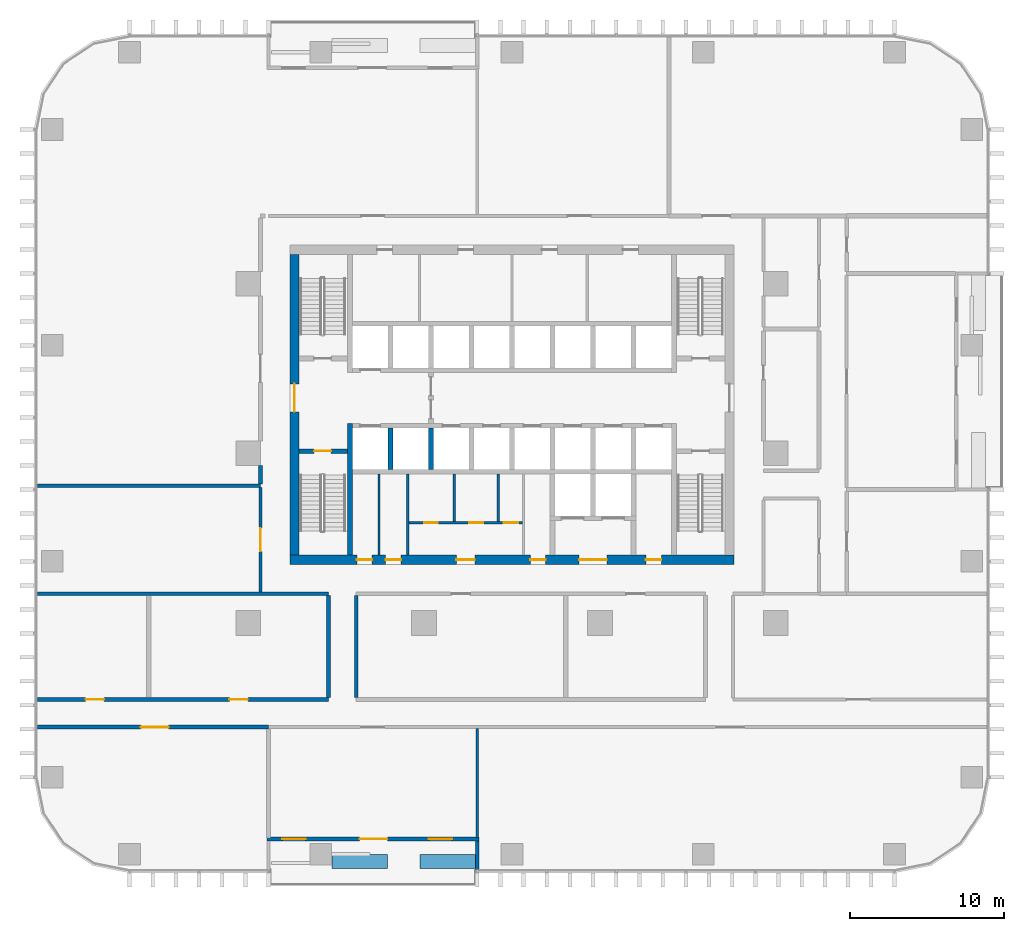
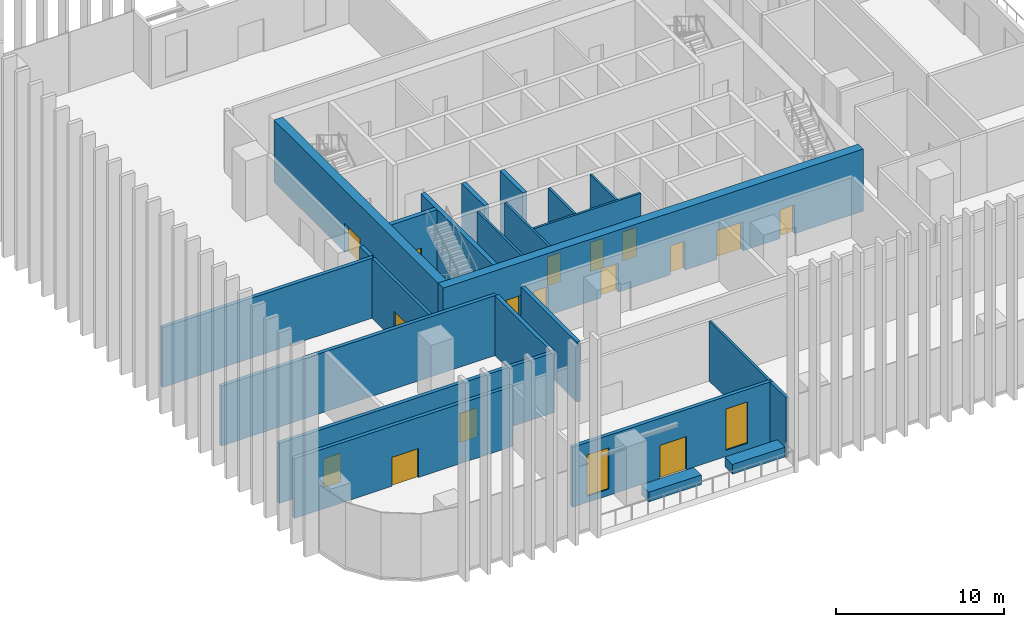
# One storey, part 7 of 16: 24 walls, 16 doors, 2 windows, 18 openings.
"""IFC4 building model written with IfcOpenShell, lengths in metres."""

from ifc_helpers import new_model, si_unit, direction, frame, frame_2d, origin, place, context, subcontext, project, spatial, rectangle, extrude, material, layer, layer_set, type_object, element, fill, save


model = new_model("IFC4")

# Units and contexts
model_context = context("Model", 3, precision=1e-05, world=origin(), true_north=direction((0.0, 1.0)))
body_context = subcontext(model_context, "Body", "Model", "MODEL_VIEW")
ifc_project = project(units=[si_unit("LENGTHUNIT", "METRE"), si_unit("AREAUNIT", "SQUARE_METRE"), si_unit("VOLUMEUNIT", "CUBIC_METRE"), si_unit("PLANEANGLEUNIT", "RADIAN"), si_unit("MASSUNIT", "GRAM", prefix="KILO")], contexts=[model_context])

# Site, building, storey
site_placement = place(None, origin())
site = spatial("IfcSite", under=ifc_project, at=site_placement, CompositionType="ELEMENT")
building_placement = place(site_placement, origin())
building = spatial("IfcBuilding", under=site, at=building_placement, Name="Mopane Tessera Tower", CompositionType="ELEMENT")
storey_placement = place(building_placement, frame((0.0, 0.0, 59.800048828125)))
storey = spatial("IfcBuildingStorey", under=building, at=storey_placement, Name="L11", CompositionType="ELEMENT", Elevation=59.800048828125)

# Walls
ifc_material_1 = material(Name="Fire-rated gypsum board partition")
ifc_layer_1 = layer(ifc_material_1, 0.14990234375)
ifc_layer_set_1 = layer_set([ifc_layer_1], Name="Fire-rated gypsum board partition")
wall_type_1 = type_object("IfcWallType", Name="Core room partition 150 mm", PredefinedType="PARTITIONING", material=ifc_layer_set_1)
for number, where, z_axis, x_axis, name in (
    (1, (-8.625, -6.60009765625, 0.0), (0.0, 0.0, 1.0), (0.0, 1.0, 0.0), "L11 Room partition"),
    (2, (-6.75, -6.60009765625, 0.0), (0.0, 0.0, 1.0), (0.0, 1.0, 0.0), "L11 Room partition"),
):
    element("IfcWall", number, at=place(storey_placement, frame(where, z_axis=z_axis, x_axis=x_axis)), inside=storey, type_object=wall_type_1, Name=name, PredefinedType="PARTITIONING", context=body_context, shape_type="SweptSolid", body=[
        extrude(rectangle(XDim=5.25, YDim=0.14990234375, at=frame_2d((2.625, 0.0))), origin(), (0.0, 0.0, 1.0), 4.5),
    ])

# Wall, openings, doors
wall_1_placement = place(storey_placement, frame((-6.675048828125, -4.5, 0.0), z_axis=(0.0, 0.0, 1.0), x_axis=(1.0, 0.0, 0.0)))
wall_1 = element("IfcWall", 3, at=wall_1_placement, inside=storey, type_object=wall_type_1, Name="L11 WC partition", PredefinedType="PARTITIONING", context=body_context, shape_type="SweptSolid", body=[
    extrude(rectangle(XDim=7.35009765625, YDim=0.14990234375, at=frame_2d((3.675048828125, 0.0))), origin(), (0.0, 0.0, 1.0), 4.5),
])
opening_1_placement = place(wall_1_placement, frame((0.97509765625, 0.0, 0.0)))
opening_1 = element("IfcOpeningElement", 4, at=opening_1_placement, cuts=wall_1, Name="Opening WD1", PredefinedType="OPENING", context=body_context, shape_type="SweptSolid", body=[
    extrude(rectangle(XDim=0.89990234375, YDim=2.10009765625, at=frame_2d((0.449951171875, 1.050048828125))), frame((0.0, 0.0869140625, 0.0), z_axis=(0.0, -1.0, 0.0), x_axis=(1.0, 0.0, 0.0)), (0.0, 0.0, 1.0), 0.173828125),
])
opening_2_placement = place(wall_1_placement, frame((3.89990234375, 0.0, 0.0)))
opening_2 = element("IfcOpeningElement", 5, at=opening_2_placement, cuts=wall_1, Name="Opening WD1", PredefinedType="OPENING", context=body_context, shape_type="SweptSolid", body=[
    extrude(rectangle(XDim=0.89990234375, YDim=2.10009765625, at=frame_2d((0.449951171875, 1.050048828125))), frame((0.0, 0.0869140625, 0.0), z_axis=(0.0, -1.0, 0.0), x_axis=(1.0, 0.0, 0.0)), (0.0, 0.0, 1.0), 0.173828125),
])
opening_3_placement = place(wall_1_placement, frame((6.125, 0.0, 0.0)))
opening_3 = element("IfcOpeningElement", 6, at=opening_3_placement, cuts=wall_1, Name="Opening WD2", PredefinedType="OPENING", context=body_context, shape_type="SweptSolid", body=[
    extrude(rectangle(XDim=0.949951171875, YDim=2.10009765625, at=frame_2d((0.47509765625, 1.050048828125))), frame((0.0, 0.0869140625, 0.0), z_axis=(0.0, -1.0, 0.0), x_axis=(1.0, 0.0, 0.0)), (0.0, 0.0, 1.0), 0.173828125),
])
ifc_material_2 = material(Name="Timber door", Category="wood")
door_type_1 = type_object("IfcDoorType", Name="Accessible WC door 950 x 2100", OperationType="SINGLE_SWING_LEFT", PredefinedType="DOOR", material=ifc_material_2)
door_1_placement = place(opening_3_placement, origin())
door_1 = element("IfcDoor", 7, at=door_1_placement, inside=storey, type_object=door_type_1, Name="L11 Accessible WC door", OperationType="SINGLE_SWING_LEFT", OverallHeight=2.10009765625, OverallWidth=0.949951171875, PredefinedType="DOOR", context=body_context, shape_type="SweptSolid", body=[
    extrude(rectangle(XDim=0.949951171875, YDim=2.10009765625, at=frame_2d((0.47509765625, 1.050048828125))), frame((0.0, 0.02490234375, 0.0), z_axis=(0.0, -1.0, 0.0), x_axis=(1.0, 0.0, 0.0)), (0.0, 0.0, 1.0), 0.050048828125),
])
fill(opening_3, door_1)
ifc_material_3 = material(Name="Timber door", Category="wood")
door_type_2 = type_object("IfcDoorType", Name="WC cubicle door 900 x 2100", OperationType="SINGLE_SWING_LEFT", PredefinedType="DOOR", material=ifc_material_3)
door_2_placement = place(opening_1_placement, origin())
door_2 = element("IfcDoor", 8, at=door_2_placement, inside=storey, type_object=door_type_2, Name="L11 Men's WC door", OperationType="SINGLE_SWING_LEFT", OverallHeight=2.10009765625, OverallWidth=0.89990234375, PredefinedType="DOOR", context=body_context, shape_type="SweptSolid", body=[
    extrude(rectangle(XDim=0.89990234375, YDim=2.10009765625, at=frame_2d((0.449951171875, 1.050048828125))), frame((0.0, 0.02490234375, 0.0), z_axis=(0.0, -1.0, 0.0), x_axis=(1.0, 0.0, 0.0)), (0.0, 0.0, 1.0), 0.050048828125),
])
fill(opening_1, door_2)
door_3_placement = place(opening_2_placement, origin())
door_3 = element("IfcDoor", 9, at=door_3_placement, inside=storey, type_object=door_type_2, Name="L11 Women's WC door", OperationType="SINGLE_SWING_LEFT", OverallHeight=2.10009765625, OverallWidth=0.89990234375, PredefinedType="DOOR", context=body_context, shape_type="SweptSolid", body=[
    extrude(rectangle(XDim=0.89990234375, YDim=2.10009765625, at=frame_2d((0.449951171875, 1.050048828125))), frame((0.0, 0.02490234375, 0.0), z_axis=(0.0, -1.0, 0.0), x_axis=(1.0, 0.0, 0.0)), (0.0, 0.0, 1.0), 0.050048828125),
])
fill(opening_2, door_3)

# Walls
for number, where, z_axis, x_axis, name in (
    (10, (-3.75, -4.425048828125, 0.0), (0.0, 0.0, 1.0), (0.0, 1.0, 0.0), "L11 WC partition"),
    (11, (-0.89990234375, -4.425048828125, 0.0), (0.0, 0.0, 1.0), (0.0, 1.0, 0.0), "L11 WC partition"),
):
    element("IfcWall", number, at=place(storey_placement, frame(where, z_axis=z_axis, x_axis=x_axis)), inside=storey, type_object=wall_type_1, Name=name, PredefinedType="PARTITIONING", context=body_context, shape_type="SweptSolid", body=[
        extrude(rectangle(XDim=3.074951171875, YDim=0.14990234375, at=frame_2d((1.53759765625, 0.0))), origin(), (0.0, 0.0, 1.0), 4.5),
    ])

# Wall, openings, doors
ifc_material_4 = material(Name="Concrete C70/85", Category="concrete")
ifc_layer_2 = layer(ifc_material_4, 0.60009765625)
ifc_layer_set_2 = layer_set([ifc_layer_2], Name="Concrete C70/85")
wall_type_2 = type_object("IfcWallType", Name="Core shear wall 600 mm", PredefinedType="SHEAR", material=ifc_layer_set_2)
wall_2_placement = place(storey_placement, frame((-14.39990234375, -6.89990234375, 0.0), z_axis=(0.0, 0.0, 1.0), x_axis=(1.0, 0.0, 0.0)))
wall_2 = element("IfcWall", 12, at=wall_2_placement, inside=storey, type_object=wall_type_2, Name="L11 Core wall south", PredefinedType="SHEAR", context=body_context, shape_type="SweptSolid", body=[
    extrude(rectangle(XDim=28.7998046875, YDim=0.60009765625, at=frame_2d((14.39990234375, 0.0))), origin(), (0.0, 0.0, 1.0), 4.5),
])
opening_4_placement = place(wall_2_placement, frame((4.33740234375, 0.0, 0.0)))
opening_4 = element("IfcOpeningElement", 13, at=opening_4_placement, cuts=wall_2, Name="Opening RD1", PredefinedType="OPENING", context=body_context, shape_type="SweptSolid", body=[
    extrude(rectangle(XDim=1.0, YDim=2.10009765625, at=frame_2d((0.5, 1.050048828125))), frame((0.0, 0.31201171875, 0.0), z_axis=(0.0, -1.0, 0.0), x_axis=(1.0, 0.0, 0.0)), (0.0, 0.0, 1.0), 0.6240234375),
])
opening_5_placement = place(wall_2_placement, frame((6.21240234375, 0.0, 0.0)))
opening_5 = element("IfcOpeningElement", 14, at=opening_5_placement, cuts=wall_2, Name="Opening RD1", PredefinedType="OPENING", context=body_context, shape_type="SweptSolid", body=[
    extrude(rectangle(XDim=1.0, YDim=2.10009765625, at=frame_2d((0.5, 1.050048828125))), frame((0.0, 0.31201171875, 0.0), z_axis=(0.0, -1.0, 0.0), x_axis=(1.0, 0.0, 0.0)), (0.0, 0.0, 1.0), 0.6240234375),
])
opening_6_placement = place(wall_2_placement, frame((10.800048828125, 0.0, 0.0)))
opening_6 = element("IfcOpeningElement", 15, at=opening_6_placement, cuts=wall_2, Name="Opening WD3", PredefinedType="OPENING", context=body_context, shape_type="SweptSolid", body=[
    extrude(rectangle(XDim=1.199951171875, YDim=2.10009765625, at=frame_2d((0.60009765625, 1.050048828125))), frame((0.0, 0.31201171875, 0.0), z_axis=(0.0, -1.0, 0.0), x_axis=(1.0, 0.0, 0.0)), (0.0, 0.0, 1.0), 0.6240234375),
])
opening_7_placement = place(wall_2_placement, frame((15.58740234375, 0.0, 0.0)))
opening_7 = element("IfcOpeningElement", 16, at=opening_7_placement, cuts=wall_2, Name="Opening RD1", PredefinedType="OPENING", context=body_context, shape_type="SweptSolid", body=[
    extrude(rectangle(XDim=1.0, YDim=2.10009765625, at=frame_2d((0.5, 1.050048828125))), frame((0.0, 0.31201171875, 0.0), z_axis=(0.0, -1.0, 0.0), x_axis=(1.0, 0.0, 0.0)), (0.0, 0.0, 1.0), 0.6240234375),
])
opening_8_placement = place(wall_2_placement, frame((18.75, 0.0, 0.0)))
opening_8 = element("IfcOpeningElement", 17, at=opening_8_placement, cuts=wall_2, Name="Opening SD2", PredefinedType="OPENING", context=body_context, shape_type="SweptSolid", body=[
    extrude(rectangle(XDim=1.800048828125, YDim=2.10009765625, at=frame_2d((0.89990234375, 1.050048828125))), frame((0.0, 0.31201171875, 0.0), z_axis=(0.0, -1.0, 0.0), x_axis=(1.0, 0.0, 0.0)), (0.0, 0.0, 1.0), 0.6240234375),
])
opening_9_placement = place(wall_2_placement, frame((23.08740234375, 0.0, 0.0)))
opening_9 = element("IfcOpeningElement", 18, at=opening_9_placement, cuts=wall_2, Name="Opening RD1", PredefinedType="OPENING", context=body_context, shape_type="SweptSolid", body=[
    extrude(rectangle(XDim=1.0, YDim=2.10009765625, at=frame_2d((0.5, 1.050048828125))), frame((0.0, 0.31201171875, 0.0), z_axis=(0.0, -1.0, 0.0), x_axis=(1.0, 0.0, 0.0)), (0.0, 0.0, 1.0), 0.6240234375),
])
ifc_material_5 = material(Name="Steel fire door", Category="steel")
door_type_3 = type_object("IfcDoorType", Name="Core entrance double door 1800 x 2100", OperationType="DOUBLE_DOOR_SINGLE_SWING", PredefinedType="DOOR", material=ifc_material_5)
door_4_placement = place(opening_8_placement, origin())
door_4 = element("IfcDoor", 19, at=door_4_placement, inside=storey, type_object=door_type_3, Name="L11 Service lobby door", OperationType="DOUBLE_DOOR_SINGLE_SWING", OverallHeight=2.10009765625, OverallWidth=1.800048828125, PredefinedType="DOOR", context=body_context, shape_type="SweptSolid", body=[
    extrude(rectangle(XDim=1.800048828125, YDim=2.10009765625, at=frame_2d((0.89990234375, 1.050048828125))), frame((0.0, 0.02490234375, 0.0), z_axis=(0.0, -1.0, 0.0), x_axis=(1.0, 0.0, 0.0)), (0.0, 0.0, 1.0), 0.050048828125),
])
fill(opening_8, door_4)
ifc_material_6 = material(Name="Timber door", Category="wood")
door_type_4 = type_object("IfcDoorType", Name="Core room door 1000 x 2100", OperationType="SINGLE_SWING_LEFT", PredefinedType="DOOR", material=ifc_material_6)
door_5_placement = place(opening_4_placement, origin())
door_5 = element("IfcDoor", 20, at=door_5_placement, inside=storey, type_object=door_type_4, Name="L11 Room door", OperationType="SINGLE_SWING_LEFT", OverallHeight=2.10009765625, OverallWidth=1.0, PredefinedType="DOOR", context=body_context, shape_type="SweptSolid", body=[
    extrude(rectangle(XDim=1.0, YDim=2.10009765625, at=frame_2d((0.5, 1.050048828125))), frame((0.0, 0.02490234375, 0.0), z_axis=(0.0, -1.0, 0.0), x_axis=(1.0, 0.0, 0.0)), (0.0, 0.0, 1.0), 0.050048828125),
])
fill(opening_4, door_5)
door_6_placement = place(opening_5_placement, origin())
door_6 = element("IfcDoor", 21, at=door_6_placement, inside=storey, type_object=door_type_4, Name="L11 Room door", OperationType="SINGLE_SWING_LEFT", OverallHeight=2.10009765625, OverallWidth=1.0, PredefinedType="DOOR", context=body_context, shape_type="SweptSolid", body=[
    extrude(rectangle(XDim=1.0, YDim=2.10009765625, at=frame_2d((0.5, 1.050048828125))), frame((0.0, 0.02490234375, 0.0), z_axis=(0.0, -1.0, 0.0), x_axis=(1.0, 0.0, 0.0)), (0.0, 0.0, 1.0), 0.050048828125),
])
fill(opening_5, door_6)
door_7_placement = place(opening_7_placement, origin())
door_7 = element("IfcDoor", 22, at=door_7_placement, inside=storey, type_object=door_type_4, Name="L11 Room door", OperationType="SINGLE_SWING_LEFT", OverallHeight=2.10009765625, OverallWidth=1.0, PredefinedType="DOOR", context=body_context, shape_type="SweptSolid", body=[
    extrude(rectangle(XDim=1.0, YDim=2.10009765625, at=frame_2d((0.5, 1.050048828125))), frame((0.0, 0.02490234375, 0.0), z_axis=(0.0, -1.0, 0.0), x_axis=(1.0, 0.0, 0.0)), (0.0, 0.0, 1.0), 0.050048828125),
])
fill(opening_7, door_7)
door_8_placement = place(opening_9_placement, origin())
door_8 = element("IfcDoor", 23, at=door_8_placement, inside=storey, type_object=door_type_4, Name="L11 Room door", OperationType="SINGLE_SWING_LEFT", OverallHeight=2.10009765625, OverallWidth=1.0, PredefinedType="DOOR", context=body_context, shape_type="SweptSolid", body=[
    extrude(rectangle(XDim=1.0, YDim=2.10009765625, at=frame_2d((0.5, 1.050048828125))), frame((0.0, 0.02490234375, 0.0), z_axis=(0.0, -1.0, 0.0), x_axis=(1.0, 0.0, 0.0)), (0.0, 0.0, 1.0), 0.050048828125),
])
fill(opening_9, door_8)
ifc_material_7 = material(Name="Timber door", Category="wood")
door_type_5 = type_object("IfcDoorType", Name="WC lobby door 1200 x 2100", OperationType="SINGLE_SWING_LEFT", PredefinedType="DOOR", material=ifc_material_7)
door_9_placement = place(opening_6_placement, origin())
door_9 = element("IfcDoor", 24, at=door_9_placement, inside=storey, type_object=door_type_5, Name="L11 WC lobby door", OperationType="SINGLE_SWING_LEFT", OverallHeight=2.10009765625, OverallWidth=1.199951171875, PredefinedType="DOOR", context=body_context, shape_type="SweptSolid", body=[
    extrude(rectangle(XDim=1.199951171875, YDim=2.10009765625, at=frame_2d((0.60009765625, 1.050048828125))), frame((0.0, 0.02490234375, 0.0), z_axis=(0.0, -1.0, 0.0), x_axis=(1.0, 0.0, 0.0)), (0.0, 0.0, 1.0), 0.050048828125),
])
fill(opening_6, door_9)

# Wall, opening, door
wall_3_placement = place(storey_placement, frame((-14.10009765625, -6.60009765625, 0.0), z_axis=(0.0, 0.0, 1.0), x_axis=(0.0, 1.0, 0.0)))
wall_3 = element("IfcWall", 25, at=wall_3_placement, inside=storey, type_object=wall_type_2, Name="L11 Core wall west", PredefinedType="SHEAR", context=body_context, shape_type="SweptSolid", body=[
    extrude(rectangle(XDim=19.5, YDim=0.60009765625, at=frame_2d((9.75, 0.0))), origin(), (0.0, 0.0, 1.0), 4.5),
])
opening_10_placement = place(wall_3_placement, frame((9.300048828125, 0.0, 0.0)))
opening_10 = element("IfcOpeningElement", 26, at=opening_10_placement, cuts=wall_3, Name="Opening SD2", PredefinedType="OPENING", context=body_context, shape_type="SweptSolid", body=[
    extrude(rectangle(XDim=1.800048828125, YDim=2.10009765625, at=frame_2d((0.89990234375, 1.050048828125))), frame((0.0, 0.31201171875, 0.0), z_axis=(0.0, -1.0, 0.0), x_axis=(1.0, 0.0, 0.0)), (0.0, 0.0, 1.0), 0.6240234375),
])
door_10_placement = place(opening_10_placement, origin())
door_10 = element("IfcDoor", 27, at=door_10_placement, inside=storey, type_object=door_type_3, Name="L11 Core entrance door west", OperationType="DOUBLE_DOOR_SINGLE_SWING", OverallHeight=2.10009765625, OverallWidth=1.800048828125, PredefinedType="DOOR", context=body_context, shape_type="SweptSolid", body=[
    extrude(rectangle(XDim=1.800048828125, YDim=2.10009765625, at=frame_2d((0.89990234375, 1.050048828125))), frame((0.0, 0.02490234375, 0.0), z_axis=(0.0, -1.0, 0.0), x_axis=(1.0, 0.0, 0.0)), (0.0, 0.0, 1.0), 0.050048828125),
])
fill(opening_10, door_10)

# Wall
ifc_material_8 = material(Name="Concrete C60/75", Category="concrete")
ifc_layer_3 = layer(ifc_material_8, 0.300048828125)
ifc_layer_set_3 = layer_set([ifc_layer_3], Name="Concrete C60/75")
wall_type_3 = type_object("IfcWallType", Name="Core spine wall 300 mm", PredefinedType="SHEAR", material=ifc_layer_set_3)
wall_4_placement = place(storey_placement, frame((-10.5, -6.60009765625, 0.0), z_axis=(0.0, 0.0, 1.0), x_axis=(0.0, 1.0, 0.0)))
element("IfcWall", 28, at=wall_4_placement, inside=storey, type_object=wall_type_3, Name="L11 Core spine wall", PredefinedType="SHEAR", context=body_context, shape_type="SweptSolid", body=[
    extrude(rectangle(XDim=8.550048828125, YDim=0.300048828125, at=frame_2d((4.27490234375, 0.0))), origin(), (0.0, 0.0, 1.0), 4.5),
])

# Wall, opening, door
ifc_material_9 = material(Name="Gypsum board on steel studs, two layers each face, mineral wool infill", Category="steel")
ifc_layer_4 = layer(ifc_material_9, 0.199951171875)
ifc_layer_set_4 = layer_set([ifc_layer_4], Name="Gypsum board on steel studs, two layers each face, mineral wool infill")
wall_type_4 = type_object("IfcWallType", Name="Gypsum board corridor wall 200, rated EI 60", PredefinedType="PARTITIONING", material=ifc_layer_set_4)
wall_5_placement = place(storey_placement, frame((-16.300048828125, -8.97509765625, 0.0), z_axis=(0.0, 0.0, 1.0), x_axis=(0.0, 1.0, 0.0)))
wall_5 = element("IfcWall", 29, at=wall_5_placement, inside=storey, type_object=wall_type_4, Name="Partition L11:022", PredefinedType="PARTITIONING", context=body_context, shape_type="SweptSolid", body=[
    extrude(rectangle(XDim=6.75, YDim=0.199951171875, at=frame_2d((3.375, 0.0))), origin(), (0.0, 0.0, 1.0), 4.349853515625),
])
opening_11_placement = place(wall_5_placement, frame((2.625, 0.0, 0.0)))
opening_11 = element("IfcOpeningElement", 30, at=opening_11_placement, cuts=wall_5, Name="Opening L11-04", PredefinedType="OPENING", context=body_context, shape_type="SweptSolid", body=[
    extrude(rectangle(XDim=1.5, YDim=2.10009765625, at=frame_2d((0.75, 1.050048828125))), frame((0.0, 0.112060546875, 0.0), z_axis=(0.0, -1.0, 0.0), x_axis=(1.0, 0.0, 0.0)), (0.0, 0.0, 1.0), 0.223876953125),
])
ifc_material_10 = material(Name="Timber veneered steel-framed fire door", Category="steel")
door_type_6 = type_object("IfcDoorType", Name="Fire door pair FD60 1500 x 2100", OperationType="DOUBLE_DOOR_SINGLE_SWING", PredefinedType="DOOR", material=ifc_material_10)
door_11_placement = place(opening_11_placement, origin())
door_11 = element("IfcDoor", 31, at=door_11_placement, inside=storey, type_object=door_type_6, Name="Door L11-04", ObjectType="D17A", OperationType="DOUBLE_DOOR_SINGLE_SWING", OverallHeight=2.10009765625, OverallWidth=1.5, PredefinedType="DOOR", context=body_context, shape_type="SweptSolid", body=[
    extrude(rectangle(XDim=1.5, YDim=2.10009765625, at=frame_2d((0.75, 1.050048828125))), frame((0.0, 0.02490234375, 0.0), z_axis=(0.0, -1.0, 0.0), x_axis=(1.0, 0.0, 0.0)), (0.0, 0.0, 1.0), 0.050048828125),
])
fill(opening_11, door_11)

# Wall
ifc_material_11 = material(Name="Gypsum board on steel studs, mineral wool infill", Category="steel")
ifc_layer_5 = layer(ifc_material_11, 0.14990234375)
ifc_layer_set_5 = layer_set([ifc_layer_5], Name="Gypsum board on steel studs, mineral wool infill")
wall_type_5 = type_object("IfcWallType", Name="Gypsum board partition 150, rated EI 60", PredefinedType="PARTITIONING", material=ifc_layer_set_5)
wall_6_placement = place(storey_placement, frame((-2.2548828125, -24.949951171875, 0.0), z_axis=(0.0, 0.0, 1.0), x_axis=(0.0, 1.0, 0.0)))
element("IfcWall", 32, at=wall_6_placement, inside=storey, type_object=wall_type_5, Name="Partition L11:029", PredefinedType="PARTITIONING", context=body_context, shape_type="SweptSolid", body=[
    extrude(rectangle(XDim=7.099853515625, YDim=0.14990234375, at=frame_2d((3.5498046875, 0.0))), origin(), (0.0, 0.0, 1.0), 4.349853515625),
])

# Wall, opening, door
ifc_material_12 = material(Name="Concrete C50/60", Category="concrete")
ifc_layer_6 = layer(ifc_material_12, 0.300048828125)
ifc_layer_set_6 = layer_set([ifc_layer_6], Name="Concrete C50/60")
wall_type_6 = type_object("IfcWallType", Name="Lift and stair shaft wall 300 mm", PredefinedType="SOLIDWALL", material=ifc_layer_set_6)
wall_7_placement = place(storey_placement, frame((-13.800048828125, 0.14990234375, 0.0), z_axis=(0.0, 0.0, 1.0), x_axis=(1.0, 0.0, 0.0)))
wall_7 = element("IfcWall", 33, at=wall_7_placement, inside=storey, type_object=wall_type_6, Name="L11 Stair enclosure wall", PredefinedType="SOLIDWALL", context=body_context, shape_type="SweptSolid", body=[
    extrude(rectangle(XDim=3.150146484375, YDim=0.300048828125, at=frame_2d((1.5751953125, 0.0))), origin(), (0.0, 0.0, 1.0), 4.5),
])
opening_12_placement = place(wall_7_placement, frame((0.97509765625, 0.0, 0.0)))
opening_12 = element("IfcOpeningElement", 34, at=opening_12_placement, cuts=wall_7, Name="Opening SD1", PredefinedType="OPENING", context=body_context, shape_type="SweptSolid", body=[
    extrude(rectangle(XDim=1.10009765625, YDim=2.10009765625, at=frame_2d((0.550048828125, 1.050048828125))), frame((0.0, 0.162109375, 0.0), z_axis=(0.0, -1.0, 0.0), x_axis=(1.0, 0.0, 0.0)), (0.0, 0.0, 1.0), 0.323974609375),
])
ifc_material_13 = material(Name="Steel fire door", Category="steel")
door_type_7 = type_object("IfcDoorType", Name="Stair fire door 1100 x 2100", OperationType="SINGLE_SWING_LEFT", PredefinedType="DOOR", material=ifc_material_13)
door_12_placement = place(opening_12_placement, origin())
door_12 = element("IfcDoor", 35, at=door_12_placement, inside=storey, type_object=door_type_7, Name="L11 Stair door ST1", OperationType="SINGLE_SWING_LEFT", OverallHeight=2.10009765625, OverallWidth=1.10009765625, PredefinedType="DOOR", context=body_context, shape_type="SweptSolid", body=[
    extrude(rectangle(XDim=1.10009765625, YDim=2.10009765625, at=frame_2d((0.550048828125, 1.050048828125))), frame((0.0, 0.02490234375, 0.0), z_axis=(0.0, -1.0, 0.0), x_axis=(1.0, 0.0, 0.0)), (0.0, 0.0, 1.0), 0.050048828125),
])
fill(opening_12, door_12)

# Walls
for number, where, z_axis, x_axis, name in (
    (36, (-7.875, -1.050048828125, 0.0), (0.0, 0.0, 1.0), (0.0, 1.0, 0.0), "L11 Lift shaft wall"),
    (37, (-5.25, -1.050048828125, 0.0), (0.0, 0.0, 1.0), (0.0, 1.0, 0.0), "L11 Lift shaft wall"),
):
    element("IfcWall", number, at=place(storey_placement, frame(where, z_axis=z_axis, x_axis=x_axis)), inside=storey, type_object=wall_type_6, Name=name, PredefinedType="SOLIDWALL", context=body_context, shape_type="SweptSolid", body=[
        extrude(rectangle(XDim=2.699951171875, YDim=0.300048828125, at=frame_2d((1.35009765625, 0.0))), origin(), (0.0, 0.0, 1.0), 4.5),
    ])
ifc_material_14 = material(Name="Reinforced concrete C32/40 with waterproofing", Category="concrete")
ifc_layer_7 = layer(ifc_material_14, 0.89990234375)
ifc_layer_set_7 = layer_set([ifc_layer_7], Name="Reinforced concrete C32/40 with waterproofing")
wall_type_7 = type_object("IfcWallType", Name="Planter trough 3600 x 900", PredefinedType="STANDARD", material=ifc_layer_set_7)
for number, where, z_axis, x_axis, name in (
    (38, (-11.679931640625, -26.449951171875, 0.0), (0.0, 0.0, 1.0), (1.0, 0.0, 0.0), "e:nw:L11:N3:pl0"),
    (39, (-5.95458984375, -26.449951171875, 0.0), (0.0, 0.0, 1.0), (1.0, 0.0, 0.0), "e:nw:L11:N3:pl1"),
):
    element("IfcWall", number, at=place(storey_placement, frame(where, z_axis=z_axis, x_axis=x_axis)), inside=storey, type_object=wall_type_7, Name=name, PredefinedType="STANDARD", context=body_context, shape_type="SweptSolid", body=[
        extrude(rectangle(XDim=3.60009765625, YDim=0.89990234375, at=frame_2d((1.800048828125, 0.0))), origin(), (0.0, 0.0, 1.0), 0.699951171875),
    ])

# Wall, opening, door
ifc_material_15 = material(Name="Plastered concrete blockwork C20/25", Category="masonry")
ifc_layer_8 = layer(ifc_material_15, 0.25)
ifc_layer_set_8 = layer_set([ifc_layer_8], Name="Plastered concrete blockwork C20/25")
wall_type_8 = type_object("IfcWallType", Name="Plastered blockwork wall 250, rated EI 120", PredefinedType="PARTITIONING", material=ifc_layer_set_8)
wall_8_placement = place(storey_placement, frame((-30.75, -17.75, 0.0), z_axis=(0.0, 0.0, 1.0), x_axis=(1.0, 0.0, 0.0)))
wall_8 = element("IfcWall", 40, at=wall_8_placement, inside=storey, type_object=wall_type_8, Name="Partition L11:001", PredefinedType="PARTITIONING", context=body_context, shape_type="SweptSolid", body=[
    extrude(rectangle(XDim=14.969970703125, YDim=0.25, at=frame_2d((7.48486328125, 0.0))), origin(), (0.0, 0.0, 1.0), 4.349853515625),
])
opening_13_placement = place(wall_8_placement, frame((6.68505859375, 0.0, 0.0)))
opening_13 = element("IfcOpeningElement", 41, at=opening_13_placement, cuts=wall_8, Name="Opening L11-09", PredefinedType="OPENING", context=body_context, shape_type="SweptSolid", body=[
    extrude(rectangle(XDim=1.800048828125, YDim=2.10009765625, at=frame_2d((0.89990234375, 1.050048828125))), frame((0.0, 0.136962890625, 0.0), z_axis=(0.0, -1.0, 0.0), x_axis=(1.0, 0.0, 0.0)), (0.0, 0.0, 1.0), 0.27392578125),
])
ifc_material_16 = material(Name="Timber veneered steel-framed fire door", Category="steel")
door_type_8 = type_object("IfcDoorType", Name="Fire door pair FD120 1800 x 2100", OperationType="DOUBLE_DOOR_SINGLE_SWING", PredefinedType="DOOR", material=ifc_material_16)
door_13_placement = place(opening_13_placement, origin())
door_13 = element("IfcDoor", 42, at=door_13_placement, inside=storey, type_object=door_type_8, Name="Door L11-09", ObjectType="D20B", OperationType="DOUBLE_DOOR_SINGLE_SWING", OverallHeight=2.10009765625, OverallWidth=1.800048828125, PredefinedType="DOOR", context=body_context, shape_type="SweptSolid", body=[
    extrude(rectangle(XDim=1.800048828125, YDim=2.10009765625, at=frame_2d((0.89990234375, 1.050048828125))), frame((0.0, 0.02490234375, 0.0), z_axis=(0.0, -1.0, 0.0), x_axis=(1.0, 0.0, 0.0)), (0.0, 0.0, 1.0), 0.050048828125),
])
fill(opening_13, door_13)

# Wall, openings, doors
wall_9_placement = place(storey_placement, frame((-30.75, -15.949951171875, 0.0), z_axis=(0.0, 0.0, 1.0), x_axis=(1.0, 0.0, 0.0)))
wall_9 = element("IfcWall", 43, at=wall_9_placement, inside=storey, type_object=wall_type_8, Name="Partition L11:003", PredefinedType="PARTITIONING", context=body_context, shape_type="SweptSolid", body=[
    extrude(rectangle(XDim=18.85009765625, YDim=0.25, at=frame_2d((9.425048828125, 0.0))), origin(), (0.0, 0.0, 1.0), 4.349853515625),
])
opening_14_placement = place(wall_9_placement, frame((3.097412109375, 0.0, 0.0)))
opening_14 = element("IfcOpeningElement", 44, at=opening_14_placement, cuts=wall_9, Name="Opening L11-01", PredefinedType="OPENING", context=body_context, shape_type="SweptSolid", body=[
    extrude(rectangle(XDim=1.199951171875, YDim=2.10009765625, at=frame_2d((0.60009765625, 1.050048828125))), frame((0.0, 0.136962890625, 0.0), z_axis=(0.0, -1.0, 0.0), x_axis=(1.0, 0.0, 0.0)), (0.0, 0.0, 1.0), 0.27392578125),
])
opening_15_placement = place(wall_9_placement, frame((12.422607421875, 0.0, 0.0)))
opening_15 = element("IfcOpeningElement", 45, at=opening_15_placement, cuts=wall_9, Name="Opening L11-11", PredefinedType="OPENING", context=body_context, shape_type="SweptSolid", body=[
    extrude(rectangle(XDim=1.199951171875, YDim=2.10009765625, at=frame_2d((0.60009765625, 1.050048828125))), frame((0.0, 0.136962890625, 0.0), z_axis=(0.0, -1.0, 0.0), x_axis=(1.0, 0.0, 0.0)), (0.0, 0.0, 1.0), 0.27392578125),
])
ifc_material_17 = material(Name="Timber veneered steel-framed fire door", Category="steel")
door_type_9 = type_object("IfcDoorType", Name="Fire door FD120 1200 x 2100", OperationType="SINGLE_SWING_LEFT", PredefinedType="DOOR", material=ifc_material_17)
door_14_placement = place(opening_14_placement, origin())
door_14 = element("IfcDoor", 46, at=door_14_placement, inside=storey, type_object=door_type_9, Name="Door L11-01", ObjectType="D15B", OperationType="SINGLE_SWING_LEFT", OverallHeight=2.10009765625, OverallWidth=1.199951171875, PredefinedType="DOOR", context=body_context, shape_type="SweptSolid", body=[
    extrude(rectangle(XDim=1.199951171875, YDim=2.10009765625, at=frame_2d((0.60009765625, 1.050048828125))), frame((0.0, 0.02490234375, 0.0), z_axis=(0.0, -1.0, 0.0), x_axis=(1.0, 0.0, 0.0)), (0.0, 0.0, 1.0), 0.050048828125),
])
fill(opening_14, door_14)
door_15_placement = place(opening_15_placement, origin())
door_15 = element("IfcDoor", 47, at=door_15_placement, inside=storey, type_object=door_type_9, Name="Door L11-11", ObjectType="D15B", OperationType="SINGLE_SWING_LEFT", OverallHeight=2.10009765625, OverallWidth=1.199951171875, PredefinedType="DOOR", context=body_context, shape_type="SweptSolid", body=[
    extrude(rectangle(XDim=1.199951171875, YDim=2.10009765625, at=frame_2d((0.60009765625, 1.050048828125))), frame((0.0, 0.02490234375, 0.0), z_axis=(0.0, -1.0, 0.0), x_axis=(1.0, 0.0, 0.0)), (0.0, 0.0, 1.0), 0.050048828125),
])
fill(opening_15, door_15)

# Walls
wall_10_placement = place(storey_placement, frame((-30.75, -9.10009765625, 0.0), z_axis=(0.0, 0.0, 1.0), x_axis=(1.0, 0.0, 0.0)))
element("IfcWall", 48, at=wall_10_placement, inside=storey, type_object=wall_type_8, Name="Partition L11:008", PredefinedType="PARTITIONING", context=body_context, shape_type="SweptSolid", body=[
    extrude(rectangle(XDim=18.85009765625, YDim=0.25, at=frame_2d((9.425048828125, 0.0))), origin(), (0.0, 0.0, 1.0), 4.349853515625),
])
wall_11_placement = place(storey_placement, frame((-30.75, -2.10009765625, 0.0), z_axis=(0.0, 0.0, 1.0), x_axis=(1.0, 0.0, 0.0)))
element("IfcWall", 49, at=wall_11_placement, inside=storey, type_object=wall_type_8, Name="Partition L11:013", PredefinedType="PARTITIONING", context=body_context, shape_type="SweptSolid", body=[
    extrude(rectangle(XDim=14.449951171875, YDim=0.25, at=frame_2d((7.22509765625, 0.0))), origin(), (0.0, 0.0, 1.0), 4.349853515625),
])
wall_12_placement = place(storey_placement, frame((-16.300048828125, -1.97509765625, 0.0), z_axis=(0.0, 0.0, 1.0), x_axis=(0.0, 1.0, 0.0)))
element("IfcWall", 50, at=wall_12_placement, inside=storey, type_object=wall_type_8, Name="Partition L11:023", PredefinedType="PARTITIONING", context=body_context, shape_type="SweptSolid", body=[
    extrude(rectangle(XDim=1.175048828125, YDim=0.25, at=frame_2d((0.58740234375, 0.0))), origin(), (0.0, 0.0, 1.0), 4.349853515625),
])
for number, where, z_axis, x_axis, name in (
    (51, (-11.89990234375, -15.824951171875, 0.0), (0.0, 0.0, 1.0), (0.0, 1.0, 0.0), "Partition L11:027"),
    (52, (-10.10009765625, -15.824951171875, 0.0), (0.0, 0.0, 1.0), (0.0, 1.0, 0.0), "Partition L11:028"),
):
    element("IfcWall", number, at=place(storey_placement, frame(where, z_axis=z_axis, x_axis=x_axis)), inside=storey, type_object=wall_type_8, Name=name, PredefinedType="PARTITIONING", context=body_context, shape_type="SweptSolid", body=[
        extrude(rectangle(XDim=6.599853515625, YDim=0.25, at=frame_2d((3.2998046875, 0.0))), origin(), (0.0, 0.0, 1.0), 4.349853515625),
    ])
ifc_material_18 = material(Name="Blockwork with glazed tile facing", Category="masonry")
ifc_layer_9 = layer(ifc_material_18, 0.199951171875)
ifc_layer_set_9 = layer_set([ifc_layer_9], Name="Blockwork with glazed tile facing")
wall_type_9 = type_object("IfcWallType", Name="Terrace cheek wall 200", PredefinedType="STANDARD", material=ifc_layer_set_9)
wall_13_placement = place(storey_placement, frame((-2.254638671875, -27.0, 0.0), z_axis=(0.0, 0.0, 1.0), x_axis=(0.0, 1.0, 0.0)))
element("IfcWall", 53, at=wall_13_placement, inside=storey, type_object=wall_type_9, Name="e:nw:L11:N3:cheekb", PredefinedType="STANDARD", context=body_context, shape_type="SweptSolid", body=[
    extrude(rectangle(XDim=1.875, YDim=0.199951171875, at=frame_2d((0.9375, 0.0))), origin(), (0.0, 0.0, 1.0), 4.349853515625),
])

# Wall, openings, windows, door
ifc_material_19 = material(Name="Blockwork with ochre glazed tile facing", Category="masonry")
ifc_layer_10 = layer(ifc_material_19, 0.25)
ifc_layer_set_10 = layer_set([ifc_layer_10], Name="Blockwork with ochre glazed tile facing")
wall_type_10 = type_object("IfcWallType", Name="Tile-clad external wall 250, ochre", PredefinedType="STANDARD", material=ifc_layer_set_10)
wall_14_placement = place(storey_placement, frame((-15.8818359375, -25.0, 0.0), z_axis=(0.0, 0.0, 1.0), x_axis=(1.0, 0.0, 0.0)))
wall_14 = element("IfcWall", 54, at=wall_14_placement, inside=storey, type_object=wall_type_10, Name="e:nw:L11:N3:back", PredefinedType="STANDARD", context=body_context, shape_type="SweptSolid", body=[
    extrude(rectangle(XDim=13.727294921875, YDim=0.25, at=frame_2d((6.86376953125, 0.0))), origin(), (0.0, 0.0, 1.0), 4.349853515625),
])
opening_16_placement = place(wall_14_placement, frame((1.0, 0.0, 0.449951171875)))
opening_16 = element("IfcOpeningElement", 55, at=opening_16_placement, cuts=wall_14, Name="Opening NW113A", PredefinedType="OPENING", context=body_context, shape_type="SweptSolid", body=[
    extrude(rectangle(XDim=1.5, YDim=3.0, at=frame_2d((0.75, 1.5))), frame((0.0, 0.136962890625, 0.0), z_axis=(0.0, -1.0, 0.0), x_axis=(1.0, 0.0, 0.0)), (0.0, 0.0, 1.0), 0.27392578125),
])
opening_17_placement = place(wall_14_placement, frame((6.0, 0.0, 0.0)))
opening_17 = element("IfcOpeningElement", 56, at=opening_17_placement, cuts=wall_14, Name="Opening ND113", PredefinedType="OPENING", context=body_context, shape_type="SweptSolid", body=[
    extrude(rectangle(XDim=1.800048828125, YDim=2.39990234375, at=frame_2d((0.89990234375, 1.199951171875))), frame((0.0, 0.136962890625, 0.0), z_axis=(0.0, -1.0, 0.0), x_axis=(1.0, 0.0, 0.0)), (0.0, 0.0, 1.0), 0.27392578125),
])
opening_18_placement = place(wall_14_placement, frame((10.5, 0.0, 0.449951171875)))
opening_18 = element("IfcOpeningElement", 57, at=opening_18_placement, cuts=wall_14, Name="Opening NW113B", PredefinedType="OPENING", context=body_context, shape_type="SweptSolid", body=[
    extrude(rectangle(XDim=1.5, YDim=3.0, at=frame_2d((0.75, 1.5))), frame((0.0, 0.136962890625, 0.0), z_axis=(0.0, -1.0, 0.0), x_axis=(1.0, 0.0, 0.0)), (0.0, 0.0, 1.0), 0.27392578125),
])
ifc_material_20 = material(Name="Clear laminated glass", Category="glass")
window_type = type_object("IfcWindowType", Name="Fixed window 1500 x 3000", PartitioningType="SINGLE_PANEL", PredefinedType="WINDOW", material=ifc_material_20)
window_1_placement = place(opening_16_placement, origin())
window_1 = element("IfcWindow", 58, at=window_1_placement, inside=storey, type_object=window_type, Name="e:nw:L11:N3:win0", OverallHeight=3.0, OverallWidth=1.5, PartitioningType="SINGLE_PANEL", PredefinedType="WINDOW", context=body_context, shape_type="SweptSolid", body=[
    extrude(rectangle(XDim=1.5, YDim=3.0, at=frame_2d((0.75, 1.5))), frame((0.0, 0.030029296875, 0.0), z_axis=(0.0, -1.0, 0.0), x_axis=(1.0, 0.0, 0.0)), (0.0, 0.0, 1.0), 0.06005859375),
])
fill(opening_16, window_1)
window_2_placement = place(opening_18_placement, origin())
window_2 = element("IfcWindow", 59, at=window_2_placement, inside=storey, type_object=window_type, Name="e:nw:L11:N3:win2", OverallHeight=3.0, OverallWidth=1.5, PartitioningType="SINGLE_PANEL", PredefinedType="WINDOW", context=body_context, shape_type="SweptSolid", body=[
    extrude(rectangle(XDim=1.5, YDim=3.0, at=frame_2d((0.75, 1.5))), frame((0.0, 0.030029296875, 0.0), z_axis=(0.0, -1.0, 0.0), x_axis=(1.0, 0.0, 0.0)), (0.0, 0.0, 1.0), 0.06005859375),
])
fill(opening_18, window_2)
ifc_material_21 = material(Name="Aluminium and clear glass", Category="aluminium")
door_type_10 = type_object("IfcDoorType", Name="Terrace double door 1800 x 2400", OperationType="DOUBLE_DOOR_SINGLE_SWING", PredefinedType="DOOR", material=ifc_material_21)
door_16_placement = place(opening_17_placement, origin())
door_16 = element("IfcDoor", 60, at=door_16_placement, inside=storey, type_object=door_type_10, Name="e:nw:L11:N3:door", ObjectType="D1", OperationType="DOUBLE_DOOR_SINGLE_SWING", OverallHeight=2.39990234375, OverallWidth=1.800048828125, PredefinedType="DOOR", context=body_context, shape_type="SweptSolid", body=[
    extrude(rectangle(XDim=1.800048828125, YDim=2.39990234375, at=frame_2d((0.89990234375, 1.199951171875))), frame((0.0, 0.02490234375, 0.0), z_axis=(0.0, -1.0, 0.0), x_axis=(1.0, 0.0, 0.0)), (0.0, 0.0, 1.0), 0.050048828125),
])
fill(opening_17, door_16)

save(model, "model.ifc")
